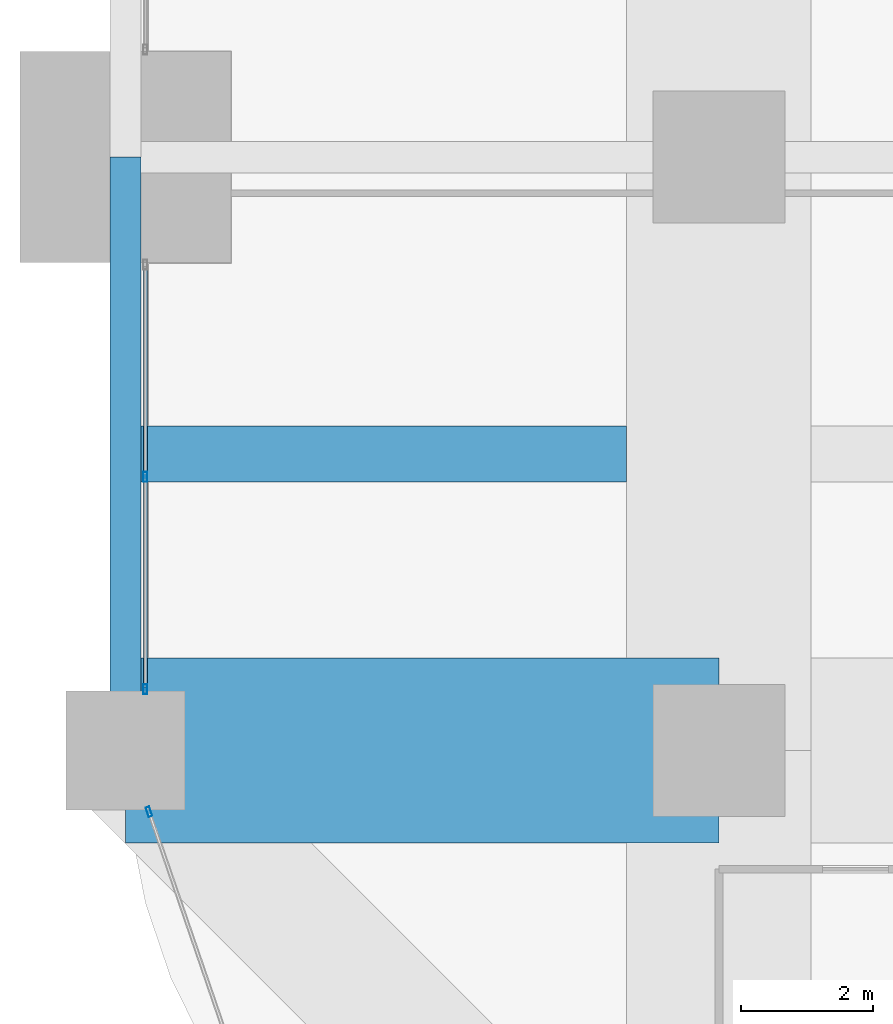
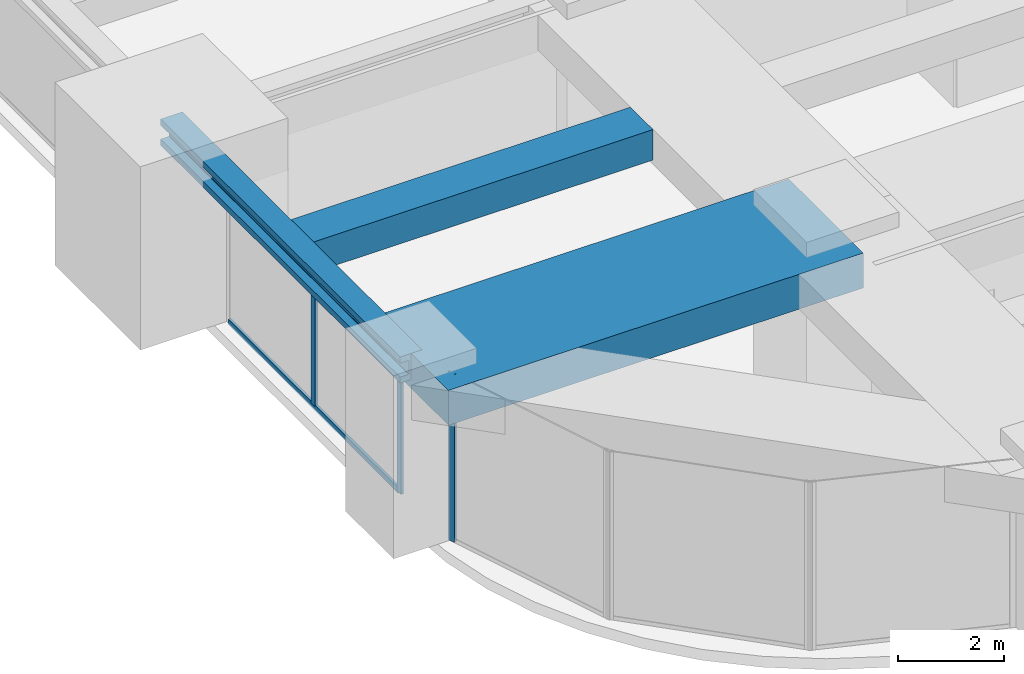
# One storey, part 5 of 45: 4 members, 3 beams, 2 elements without a shape of their own.
"""IFC4 building model written with IfcOpenShell, lengths in metres."""

from ifc_helpers import new_model, si_unit, direction, frame, origin, origin_2d, place, context, subcontext, project, spatial, rectangle, hollow_rectangle, i_section, extrude, material, material_profile, profile_set, type_object, element, aggregate, save


model = new_model("IFC4")

# Units and contexts
model_context = context("Model", 3, precision=1e-05, world=origin(), true_north=direction((0.0, 1.0)))
body_context = subcontext(model_context, "Body", "Model", "MODEL_VIEW")
ifc_project = project(units=[si_unit("LENGTHUNIT", "METRE"), si_unit("AREAUNIT", "SQUARE_METRE"), si_unit("VOLUMEUNIT", "CUBIC_METRE"), si_unit("PLANEANGLEUNIT", "RADIAN"), si_unit("MASSUNIT", "GRAM", prefix="KILO")], contexts=[model_context])

# Site, building, storey
site_placement = place(None, origin())
site = spatial("IfcSite", under=ifc_project, at=site_placement, CompositionType="ELEMENT")
building_placement = place(site_placement, origin())
building = spatial("IfcBuilding", under=site, at=building_placement, Name="Zorevar Civic Tower", CompositionType="ELEMENT")
storey_placement = place(building_placement, frame((0.0, 0.0, 153.0)))
storey = spatial("IfcBuildingStorey", under=building, at=storey_placement, Name="L37", CompositionType="ELEMENT", Elevation=153.0)

# Beams
ifc_material_1 = material(Name="Concrete C50/60", Category="concrete")
ifc_material_profile_1 = material_profile(ifc_material_1, rectangle(XDim=2.800048828125, YDim=0.800048828125, at=origin_2d()), Name="RC 2800x800")
ifc_profile_set_1 = profile_set([ifc_material_profile_1], Name="Concrete C50/60")
beam_type_1 = type_object("IfcBeamType", Name="Beam RC 2800x800", PredefinedType="BEAM", material=ifc_profile_set_1)
beam_1_placement = place(storey_placement, frame((0.0, 9.0, 3.449951171875), z_axis=(1.0, 0.0, 0.0), x_axis=(0.0, 1.0, 0.0)))
element("IfcBeam", 1, at=beam_1_placement, inside=storey, type_object=beam_type_1, Name="Girder L38", PredefinedType="BEAM", context=body_context, shape_type="SweptSolid", body=[
    extrude(rectangle(XDim=2.800048828125, YDim=0.800048828125, at=origin_2d()), origin(), (0.0, 0.0, 1.0), 9.0),
])
ifc_material_2 = material(Name="Concrete C50/60", Category="concrete")
ifc_material_profile_2 = material_profile(ifc_material_2, rectangle(XDim=0.85009765625, YDim=0.699951171875, at=origin_2d()), Name="RC 850x700")
ifc_profile_set_2 = profile_set([ifc_material_profile_2], Name="Concrete C50/60")
beam_type_2 = type_object("IfcBeamType", Name="Beam RC 850x700", PredefinedType="BEAM", material=ifc_profile_set_2)
beam_2_placement = place(storey_placement, frame((0.238037109375, 13.5, 3.5), z_axis=(1.0, 0.0, 0.0), x_axis=(0.0, 1.0, 0.0)))
element("IfcBeam", 2, at=beam_2_placement, inside=storey, type_object=beam_type_2, Name="Secondary beam L38", PredefinedType="BEAM", context=body_context, shape_type="SweptSolid", body=[
    extrude(rectangle(XDim=0.85009765625, YDim=0.699951171875, at=origin_2d()), origin(), (0.0, 0.0, 1.0), 7.362060546875),
])
ifc_material_3 = material(Name="Steel S460M (HISTAR 460)", Category="steel")
ifc_material_profile_3 = material_profile(ifc_material_3, i_section(OverallWidth=0.47607421875, OverallDepth=0.60009765625, WebThickness=0.10009765625, FlangeThickness=0.139892578125, FilletRadius=0.014892578125, at=origin_2d()), Name="HD 400x1299")
ifc_profile_set_3 = profile_set([ifc_material_profile_3], Name="Steel S460M (HISTAR 460)")
beam_type_3 = type_object("IfcBeamType", Name="Belt chord HD 400x1299", PredefinedType="BEAM", material=ifc_profile_set_3)
beam_3_placement = place(storey_placement, frame((0.0, 9.0, 3.550048828125), z_axis=(0.0, 1.0, 0.0), x_axis=(-1.0, 0.0, 0.0)))
element("IfcBeam", 3, at=beam_3_placement, inside=storey, type_object=beam_type_3, Name="Belt chord L38", PredefinedType="BEAM", context=body_context, shape_type="SweptSolid", body=[
    extrude(i_section(OverallWidth=0.47607421875, OverallDepth=0.60009765625, WebThickness=0.10009765625, FlangeThickness=0.139892578125, FilletRadius=0.014892578125, at=origin_2d()), origin(), (0.0, 0.0, 1.0), 9.0),
])

# Curtain wall, members
ifc_material_4 = material(Name="Dark grey solar-control glass in black aluminium frame", Category="aluminium")
curtain_wall_type = type_object("IfcCurtainWallType", Name="Curtain wall CW3 mid zone", PredefinedType="NOTDEFINED", material=ifc_material_4)
curtain_wall_1_placement = place(storey_placement, origin())
curtain_wall_1 = element("IfcCurtainWall", 4, at=curtain_wall_1_placement, inside=storey, type_object=curtain_wall_type, Name="CW3 L37", PredefinedType="NOTDEFINED")
ifc_material_5 = material(Name="Aluminium, black anodised", Category="aluminium")
ifc_material_profile_4 = material_profile(ifc_material_5, hollow_rectangle(XDim=0.06005859375, YDim=0.14990234375, WallThickness=0.00390625, at=origin_2d()), Name="AL 150x60x4")
ifc_profile_set_4 = profile_set([ifc_material_profile_4], Name="Aluminium, black anodised")
member_type_1 = type_object("IfcMemberType", Name="CW3 mullion AL 150x60x4", PredefinedType="MULLION", material=ifc_profile_set_4)
member_1_placement = place(storey_placement, frame((0.300048828125, 9.929931640625, 0.0), z_axis=(0.0, 0.0, 1.0), x_axis=(-1.0, 0.0, 0.0)))
member_1 = element("IfcMember", 5, at=member_1_placement, type_object=member_type_1, Name="CW3 mullion 1", PredefinedType="MULLION", context=body_context, shape_type="SweptSolid", body=[
    extrude(hollow_rectangle(XDim=0.06005859375, YDim=0.14990234375, WallThickness=0.00390625, at=origin_2d()), origin(), (0.0, 0.0, 1.0), 3.050048828125),
])
member_2_placement = place(storey_placement, frame((0.300048828125, 13.14990234375, 0.06005859375), z_axis=(0.0, 0.0, 1.0), x_axis=(-1.0, 0.0, 0.0)))
member_2 = element("IfcMember", 6, at=member_2_placement, type_object=member_type_1, Name="CW3 mullion 2", PredefinedType="MULLION", context=body_context, shape_type="SweptSolid", body=[
    extrude(hollow_rectangle(XDim=0.06005859375, YDim=0.14990234375, WallThickness=0.00390625, at=origin_2d()), origin(), (0.0, 0.0, 1.0), 2.989990234375),
])

# Curtain wall, member
curtain_wall_2_placement = place(storey_placement, origin())
curtain_wall_2 = element("IfcCurtainWall", 7, at=curtain_wall_2_placement, inside=storey, type_object=curtain_wall_type, Name="CW3 L37", PredefinedType="NOTDEFINED")
member_3_placement = place(storey_placement, frame((0.3564453125, 8.071533203125, 0.0), z_axis=(0.0, 0.0, 1.0), x_axis=(0.945755772794, 0.324878466857, 0.0)))
member_3 = element("IfcMember", 8, at=member_3_placement, type_object=member_type_1, Name="CW3 mullion 1", PredefinedType="MULLION", context=body_context, shape_type="SweptSolid", body=[
    extrude(hollow_rectangle(XDim=0.06005859375, YDim=0.14990234375, WallThickness=0.00390625, at=origin_2d()), origin(), (0.0, 0.0, 1.0), 3.85009765625),
])
aggregate(curtain_wall_2, [member_3])

# Member
ifc_material_6 = material(Name="Aluminium, black anodised", Category="aluminium")
ifc_material_profile_5 = material_profile(ifc_material_6, hollow_rectangle(XDim=0.06005859375, YDim=0.1201171875, WallThickness=0.0029296875, at=origin_2d()), Name="AL 120x60x3")
ifc_profile_set_5 = profile_set([ifc_material_profile_5], Name="Aluminium, black anodised")
member_type_2 = type_object("IfcMemberType", Name="CW3 transom AL 120x60x3", PredefinedType="USERDEFINED", material=ifc_profile_set_5)
member_4_placement = place(storey_placement, frame((0.300048828125, 9.9599609375, 0.030029296875), z_axis=(0.0, 1.0, 0.0), x_axis=(-1.0, 0.0, 0.0)))
member_4 = element("IfcMember", 9, at=member_4_placement, type_object=member_type_2, Name="CW3 sill transom", ObjectType="TRANSOM", PredefinedType="USERDEFINED", context=body_context, shape_type="SweptSolid", body=[
    extrude(hollow_rectangle(XDim=0.06005859375, YDim=0.1201171875, WallThickness=0.0029296875, at=origin_2d()), origin(), (0.0, 0.0, 1.0), 6.380126953125),
])

aggregate(curtain_wall_1, [member_1, member_2, member_4])

save(model, "model.ifc")
